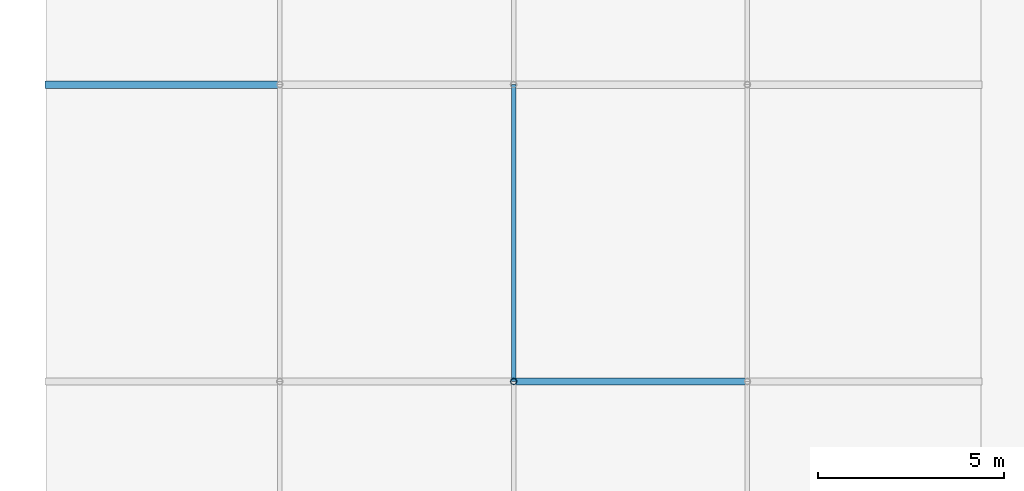
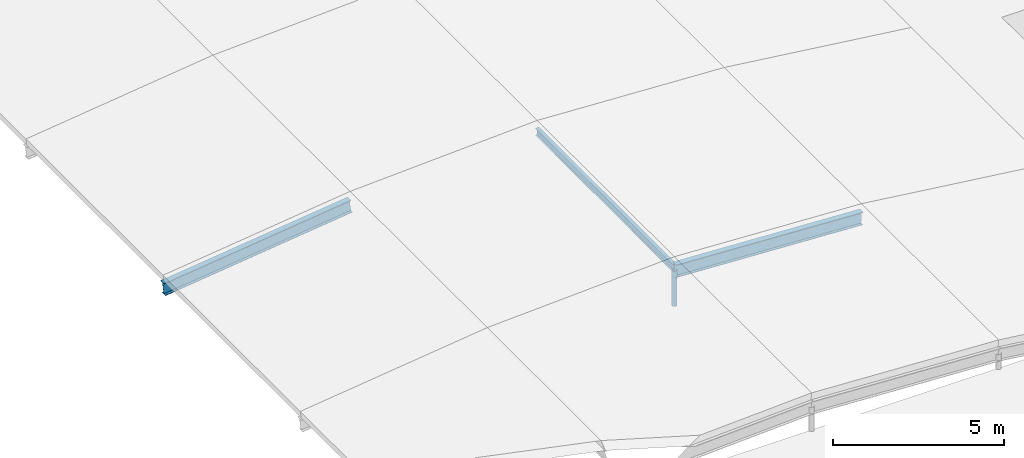
# One storey, part 26 of 76: 4 members.
"""IFC4 building model written with IfcOpenShell, lengths in metres."""

from ifc_helpers import new_model, si_unit, direction, frame, origin, origin_2d, place, context, subcontext, project, spatial, hollow_circle, i_section, extrude, material, material_profile, profile_set, type_object, element, save


model = new_model("IFC4")

# Units and contexts
model_context = context("Model", 3, precision=1e-05, world=origin(), true_north=direction((0.0, 1.0)))
body_context = subcontext(model_context, "Body", "Model", "MODEL_VIEW")
ifc_project = project(units=[si_unit("LENGTHUNIT", "METRE"), si_unit("AREAUNIT", "SQUARE_METRE"), si_unit("VOLUMEUNIT", "CUBIC_METRE"), si_unit("PLANEANGLEUNIT", "RADIAN"), si_unit("MASSUNIT", "GRAM", prefix="KILO")], contexts=[model_context])

# Site, building, storey
site_placement = place(None, origin())
site = spatial("IfcSite", under=ifc_project, at=site_placement, CompositionType="ELEMENT")
building_placement = place(site_placement, origin())
building = spatial("IfcBuilding", under=site, at=building_placement, Name="Naruveol Harbour Congress Hotel", CompositionType="ELEMENT")
storey_placement = place(building_placement, frame((0.0, 0.0, 11.39990234375)))
storey = spatial("IfcBuildingStorey", under=building, at=storey_placement, Name="L02", CompositionType="ELEMENT", Elevation=11.39990234375)

# Members
ifc_material_1 = material(Name="Steel SN490", Category="steel")
ifc_material_profile_1 = material_profile(ifc_material_1, i_section(OverallWidth=0.199951171875, OverallDepth=0.449951171875, WebThickness=0.009033203125, FlangeThickness=0.013916015625, at=origin_2d()), Name="H-450x200x9x14")
ifc_profile_set_1 = profile_set([ifc_material_profile_1], Name="Steel SN490")
member_type_1 = type_object("IfcMemberType", Name="STEEL BUTTERFLY CROWN RAFTER H450", PredefinedType="RAFTER", material=ifc_profile_set_1)
member_1_placement = place(storey_placement, frame((12.60009765625, 80.0, 0.85009765625), z_axis=(0.998711864513, 0.0, -0.050740631467), x_axis=(0.0, 1.0, 0.0)))
element("IfcMember", 1, at=member_1_placement, inside=storey, type_object=member_type_1, Name="Spa vault arch rib #2.3", PredefinedType="RAFTER", context=body_context, shape_type="SweptSolid", body=[
    extrude(i_section(OverallWidth=0.199951171875, OverallDepth=0.449951171875, WebThickness=0.009033203125, FlangeThickness=0.013916015625, at=origin_2d()), origin(), (0.0, 0.0, 1.0), 6.307861328125),
])
member_2_placement = place(storey_placement, frame((0.0, 88.0, -0.239990234375), z_axis=(0.992613260551, 0.0, 0.121321535508), x_axis=(0.0, 1.0, 0.0)))
element("IfcMember", 2, at=member_2_placement, inside=storey, type_object=member_type_1, Name="Spa vault arch rib #3.1", PredefinedType="RAFTER", context=body_context, shape_type="SweptSolid", body=[
    extrude(i_section(OverallWidth=0.199951171875, OverallDepth=0.449951171875, WebThickness=0.009033203125, FlangeThickness=0.013916015625, at=origin_2d()), origin(), (0.0, 0.0, 1.0), 6.346923828125),
])
ifc_material_2 = material(Name="Steel SN490", Category="steel")
ifc_material_profile_2 = material_profile(ifc_material_2, hollow_circle(Radius=0.084228515625, WallThickness=0.008056640625, at=origin_2d()), Name="CHS-168.3x8")
ifc_profile_set_2 = profile_set([ifc_material_profile_2], Name="Steel SN490")
member_type_2 = type_object("IfcMemberType", Name="STEEL GABLE TRUSS WEB BRACE CHS168", PredefinedType="BRACE", material=ifc_profile_set_2)
member_3_placement = place(storey_placement, frame((12.60009765625, 80.0, -0.39990234375), z_axis=(0.0, 0.0, 1.0), x_axis=(1.0, 0.0, 0.0)))
element("IfcMember", 3, at=member_3_placement, inside=storey, type_object=member_type_2, Name="Spa vault crown web post #2", PredefinedType="BRACE", context=body_context, shape_type="SweptSolid", body=[
    extrude(hollow_circle(Radius=0.084228515625, WallThickness=0.008056640625, at=origin_2d()), origin(), (0.0, 0.0, 1.0), 1.25),
])
ifc_material_3 = material(Name="Steel SN490", Category="steel")
ifc_material_profile_3 = material_profile(ifc_material_3, i_section(OverallWidth=0.125, OverallDepth=0.25, WebThickness=0.006103515625, FlangeThickness=0.009033203125, at=origin_2d()), Name="H-250x125x6x9")
ifc_profile_set_3 = profile_set([ifc_material_profile_3], Name="Steel SN490")
member_type_3 = type_object("IfcMemberType", Name="STEEL ROOF PURLIN MEMBER H250", PredefinedType="PURLIN", material=ifc_profile_set_3)
member_4_placement = place(storey_placement, frame((12.60009765625, 80.0, 0.940185546875), z_axis=(0.0, 1.0, 0.0), x_axis=(-1.0, 0.0, 0.0)))
element("IfcMember", 4, at=member_4_placement, inside=storey, type_object=member_type_3, Name="Spa barrel vault purlin X=12.6", PredefinedType="PURLIN", context=body_context, shape_type="SweptSolid", body=[
    extrude(i_section(OverallWidth=0.125, OverallDepth=0.25, WebThickness=0.006103515625, FlangeThickness=0.009033203125, at=origin_2d()), origin(), (0.0, 0.0, 1.0), 8.0),
])

save(model, "model.ifc")
